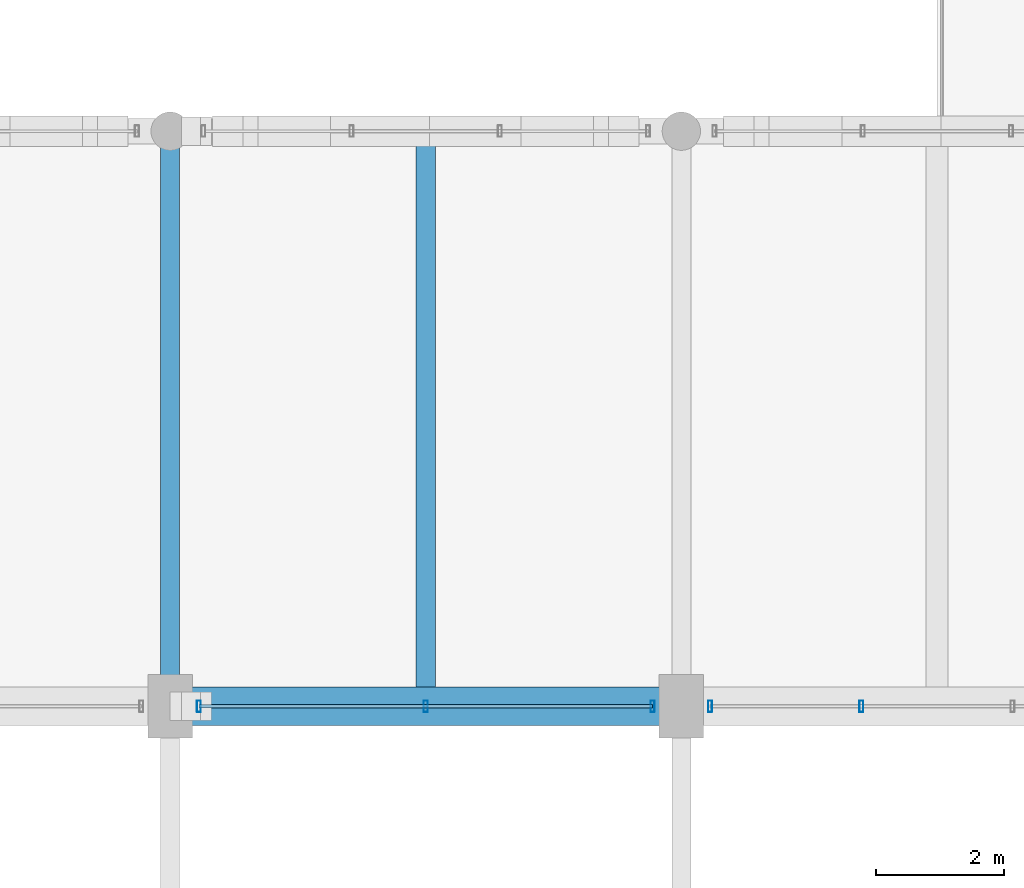
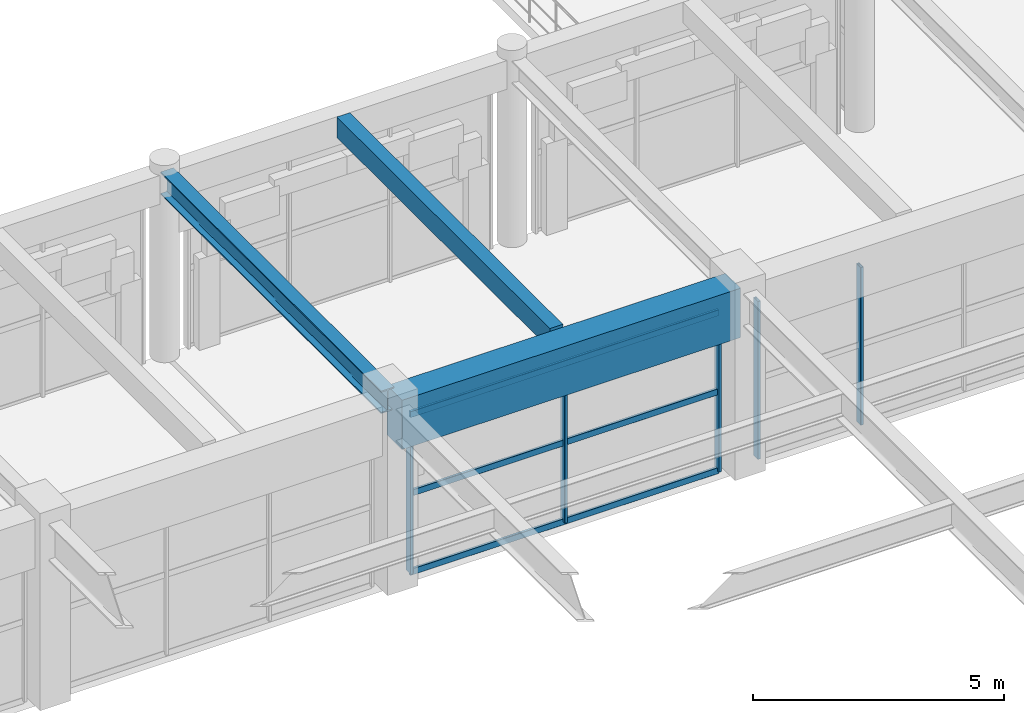
# One storey, part 53 of 144: 8 members, 3 beams, 2 elements without a shape of their own.
"""IFC4 building model written with IfcOpenShell, lengths in metres."""

from ifc_helpers import new_model, si_unit, direction, frame, origin, origin_2d, place, context, subcontext, project, spatial, rectangle, hollow_rectangle, i_section, extrude, material, material_profile, profile_set, type_object, element, aggregate, save


model = new_model("IFC4")

# Units and contexts
model_context = context("Model", 3, precision=1e-05, world=origin(), true_north=direction((0.0, 1.0)))
body_context = subcontext(model_context, "Body", "Model", "MODEL_VIEW")
ifc_project = project(units=[si_unit("LENGTHUNIT", "METRE"), si_unit("AREAUNIT", "SQUARE_METRE"), si_unit("VOLUMEUNIT", "CUBIC_METRE"), si_unit("PLANEANGLEUNIT", "RADIAN"), si_unit("MASSUNIT", "GRAM", prefix="KILO")], contexts=[model_context])

# Site, building, storey
site_placement = place(None, origin())
site = spatial("IfcSite", under=ifc_project, at=site_placement, CompositionType="ELEMENT")
building_placement = place(site_placement, origin())
building = spatial("IfcBuilding", under=site, at=building_placement, Name="Varnabhumi Central Station", CompositionType="ELEMENT")
storey_placement = place(building_placement, frame((0.0, 0.0, 4.800048828125)))
storey = spatial("IfcBuildingStorey", under=building, at=storey_placement, Name="L01", CompositionType="ELEMENT", Elevation=4.800048828125)

# Beams
ifc_material_1 = material(Name="Concrete M50", Category="concrete")
ifc_material_profile_1 = material_profile(ifc_material_1, rectangle(XDim=0.60009765625, YDim=1.199951171875, at=origin_2d()), Name="Concrete M50", Category="concrete")
ifc_profile_set_1 = profile_set([ifc_material_profile_1], Name="Concrete M50")
beam_type_1 = type_object("IfcBeamType", Name="BM-RC-1200x600", PredefinedType="BEAM", material=ifc_profile_set_1)
beam_1_placement = place(storey_placement, frame((64.10009765625, 80.0, 3.8798828125), z_axis=(1.0, 0.0, 0.0), x_axis=(0.0, 1.0, 0.0)))
element("IfcBeam", 1, at=beam_1_placement, inside=storey, type_object=beam_type_1, Name="Beam L01-K:9-10", PredefinedType="BEAM", context=body_context, shape_type="SweptSolid", body=[
    extrude(rectangle(XDim=0.60009765625, YDim=1.199951171875, at=origin_2d()), origin(), (0.0, 0.0, 1.0), 7.7998046875),
])
ifc_material_2 = material(Name="Concrete M40", Category="concrete")
ifc_material_profile_2 = material_profile(ifc_material_2, rectangle(XDim=0.300048828125, YDim=0.5, at=origin_2d()), Name="Concrete M40", Category="concrete")
ifc_profile_set_2 = profile_set([ifc_material_profile_2], Name="Concrete M40")
beam_type_2 = type_object("IfcBeamType", Name="BM-RC-300x500", PredefinedType="JOIST", material=ifc_profile_set_2)
beam_2_placement = place(storey_placement, frame((68.0, 80.300048828125, 4.300048828125), z_axis=(0.0, 1.0, 0.0), x_axis=(-1.0, 0.0, 0.0)))
element("IfcBeam", 2, at=beam_2_placement, inside=storey, type_object=beam_type_2, Name="Secondary Joist L01-9/10:K-L", PredefinedType="JOIST", context=body_context, shape_type="SweptSolid", body=[
    extrude(rectangle(XDim=0.300048828125, YDim=0.5, at=origin_2d()), origin(), (0.0, 0.0, 1.0), 8.5),
])
ifc_material_3 = material(Name="Structural steel E350", Category="steel")
ifc_material_profile_3 = material_profile(ifc_material_3, i_section(OverallWidth=0.300048828125, OverallDepth=0.550048828125, WebThickness=0.014892578125, FlangeThickness=0.029052734375, FilletRadius=0.027099609375, at=origin_2d()), Name="Structural steel E350", Category="steel")
ifc_profile_set_3 = profile_set([ifc_material_profile_3], Name="Structural steel E350")
beam_type_3 = type_object("IfcBeamType", Name="BM-STL-WPB550", PredefinedType="BEAM", material=ifc_profile_set_3)
beam_3_placement = place(storey_placement, frame((64.0, 80.10009765625, 4.27490234375), z_axis=(0.0, 1.0, 0.0), x_axis=(-1.0, 0.0, 0.0)))
element("IfcBeam", 3, at=beam_3_placement, inside=storey, type_object=beam_type_3, Name="Beam L01-9:K-L", PredefinedType="BEAM", context=body_context, shape_type="SweptSolid", body=[
    extrude(i_section(OverallWidth=0.300048828125, OverallDepth=0.550048828125, WebThickness=0.014892578125, FlangeThickness=0.029052734375, FilletRadius=0.027099609375, at=origin_2d()), origin(), (0.0, 0.0, 1.0), 8.7998046875),
])

# Curtain wall, members
ifc_material_4 = material(Name="Anodised aluminium 6063-T6", Category="aluminium")
curtain_wall_type_1 = type_object("IfcCurtainWallType", Name="CW-SPINE-SCREEN-L0", PredefinedType="NOTDEFINED", material=ifc_material_4)
curtain_wall_1_placement = place(storey_placement, origin())
curtain_wall_1 = element("IfcCurtainWall", 4, at=curtain_wall_1_placement, inside=storey, type_object=curtain_wall_type_1, Name="Curtain Wall CW-NS108", PredefinedType="NOTDEFINED")
ifc_material_profile_4 = material_profile(ifc_material_4, hollow_rectangle(XDim=0.06494140625, YDim=0.179931640625, WallThickness=0.00390625, InnerFilletRadius=0.001953125, OuterFilletRadius=0.006103515625, at=origin_2d()), Name="Anodised aluminium 6063-T6", Category="aluminium")
ifc_profile_set_4 = profile_set([ifc_material_profile_4], Name="Anodised aluminium 6063-T6")
member_type_1 = type_object("IfcMemberType", Name="CW-MUL-180", PredefinedType="MULLION", material=ifc_profile_set_4)
member_1_placement = place(storey_placement, frame((64.449951171875, 80.0, 0.0), z_axis=(0.0, 0.0, 1.0), x_axis=(1.0, 0.0, 0.0)))
member_1 = element("IfcMember", 5, at=member_1_placement, type_object=member_type_1, Name="Curtain Wall Mullion CW-NS108-M1", PredefinedType="MULLION", context=body_context, shape_type="SweptSolid", body=[
    extrude(hollow_rectangle(XDim=0.06494140625, YDim=0.179931640625, WallThickness=0.00390625, InnerFilletRadius=0.001953125, OuterFilletRadius=0.006103515625, at=origin_2d()), origin(), (0.0, 0.0, 1.0), 3.83984375),
])
member_2_placement = place(storey_placement, frame((68.0, 80.0, 0.0), z_axis=(0.0, 0.0, 1.0), x_axis=(1.0, 0.0, 0.0)))
member_2 = element("IfcMember", 6, at=member_2_placement, type_object=member_type_1, Name="Curtain Wall Mullion CW-NS108-M2", PredefinedType="MULLION", context=body_context, shape_type="SweptSolid", body=[
    extrude(hollow_rectangle(XDim=0.06494140625, YDim=0.179931640625, WallThickness=0.00390625, InnerFilletRadius=0.001953125, OuterFilletRadius=0.006103515625, at=origin_2d()), origin(), (0.0, 0.0, 1.0), 3.83984375),
])
member_3_placement = place(storey_placement, frame((71.550048828125, 80.0, 0.0), z_axis=(0.0, 0.0, 1.0), x_axis=(1.0, 0.0, 0.0)))
member_3 = element("IfcMember", 7, at=member_3_placement, type_object=member_type_1, Name="Curtain Wall Mullion CW-NS108-M3", PredefinedType="MULLION", context=body_context, shape_type="SweptSolid", body=[
    extrude(hollow_rectangle(XDim=0.06494140625, YDim=0.179931640625, WallThickness=0.00390625, InnerFilletRadius=0.001953125, OuterFilletRadius=0.006103515625, at=origin_2d()), origin(), (0.0, 0.0, 1.0), 3.83984375),
])

curtain_wall_type_2 = type_object("IfcCurtainWallType", Name="CW-STREET-PORTAL", PredefinedType="NOTDEFINED", material=ifc_material_4)
curtain_wall_2_placement = place(storey_placement, origin())
curtain_wall_2 = element("IfcCurtainWall", 8, at=curtain_wall_2_placement, inside=storey, type_object=curtain_wall_type_2, Name="Curtain Wall CW-NSP109", PredefinedType="NOTDEFINED")
member_4_placement = place(storey_placement, frame((72.449951171875, 80.0, 0.0), z_axis=(0.0, 0.0, 1.0), x_axis=(1.0, 0.0, 0.0)))
member_4 = element("IfcMember", 9, at=member_4_placement, type_object=member_type_1, Name="Curtain Wall Mullion CW-NSP109-M1", PredefinedType="MULLION", context=body_context, shape_type="SweptSolid", body=[
    extrude(hollow_rectangle(XDim=0.06494140625, YDim=0.179931640625, WallThickness=0.00390625, InnerFilletRadius=0.001953125, OuterFilletRadius=0.006103515625, at=origin_2d()), origin(), (0.0, 0.0, 1.0), 3.83984375),
])
member_5_placement = place(storey_placement, frame((74.816650390625, 80.0, 0.0), z_axis=(0.0, 0.0, 1.0), x_axis=(1.0, 0.0, 0.0)))
member_5 = element("IfcMember", 10, at=member_5_placement, type_object=member_type_1, Name="Curtain Wall Mullion CW-NSP109-M2", PredefinedType="MULLION", context=body_context, shape_type="SweptSolid", body=[
    extrude(hollow_rectangle(XDim=0.06494140625, YDim=0.179931640625, WallThickness=0.00390625, InnerFilletRadius=0.001953125, OuterFilletRadius=0.006103515625, at=origin_2d()), origin(), (0.0, 0.0, 1.0), 3.83984375),
])
aggregate(curtain_wall_2, [member_4, member_5])

# Member
ifc_material_profile_5 = material_profile(ifc_material_4, hollow_rectangle(XDim=0.06005859375, YDim=0.14990234375, WallThickness=0.00390625, InnerFilletRadius=0.001953125, OuterFilletRadius=0.006103515625, at=origin_2d()), Name="Anodised aluminium 6063-T6", Category="aluminium")
ifc_profile_set_5 = profile_set([ifc_material_profile_5], Name="Anodised aluminium 6063-T6")
member_type_2 = type_object("IfcMemberType", Name="CW-TR-150", PredefinedType="USERDEFINED", material=ifc_profile_set_5)
member_6_placement = place(storey_placement, frame((64.449951171875, 80.0, 0.0), z_axis=(1.0, 0.0, 0.0), x_axis=(0.0, 1.0, 0.0)))
member_6 = element("IfcMember", 11, at=member_6_placement, type_object=member_type_2, Name="Curtain Wall Transom CW-NS108-T1", ObjectType="TRANSOM", PredefinedType="USERDEFINED", context=body_context, shape_type="SweptSolid", body=[
    extrude(hollow_rectangle(XDim=0.06005859375, YDim=0.14990234375, WallThickness=0.00390625, InnerFilletRadius=0.001953125, OuterFilletRadius=0.006103515625, at=origin_2d()), origin(), (0.0, 0.0, 1.0), 7.10009765625),
])

member_7_placement = place(storey_placement, frame((64.449951171875, 80.0, 1.919921875), z_axis=(1.0, 0.0, 0.0), x_axis=(0.0, 1.0, 0.0)))
member_7 = element("IfcMember", 12, at=member_7_placement, type_object=member_type_2, Name="Curtain Wall Transom CW-NS108-T2", ObjectType="TRANSOM", PredefinedType="USERDEFINED", context=body_context, shape_type="SweptSolid", body=[
    extrude(hollow_rectangle(XDim=0.06005859375, YDim=0.14990234375, WallThickness=0.00390625, InnerFilletRadius=0.001953125, OuterFilletRadius=0.006103515625, at=origin_2d()), origin(), (0.0, 0.0, 1.0), 7.10009765625),
])

member_8_placement = place(storey_placement, frame((64.449951171875, 80.0, 3.83984375), z_axis=(1.0, 0.0, 0.0), x_axis=(0.0, 1.0, 0.0)))
member_8 = element("IfcMember", 13, at=member_8_placement, type_object=member_type_2, Name="Curtain Wall Transom CW-NS108-T3", ObjectType="TRANSOM", PredefinedType="USERDEFINED", context=body_context, shape_type="SweptSolid", body=[
    extrude(hollow_rectangle(XDim=0.06005859375, YDim=0.14990234375, WallThickness=0.00390625, InnerFilletRadius=0.001953125, OuterFilletRadius=0.006103515625, at=origin_2d()), origin(), (0.0, 0.0, 1.0), 7.10009765625),
])

aggregate(curtain_wall_1, [member_1, member_2, member_3, member_6, member_7, member_8])

save(model, "model.ifc")
